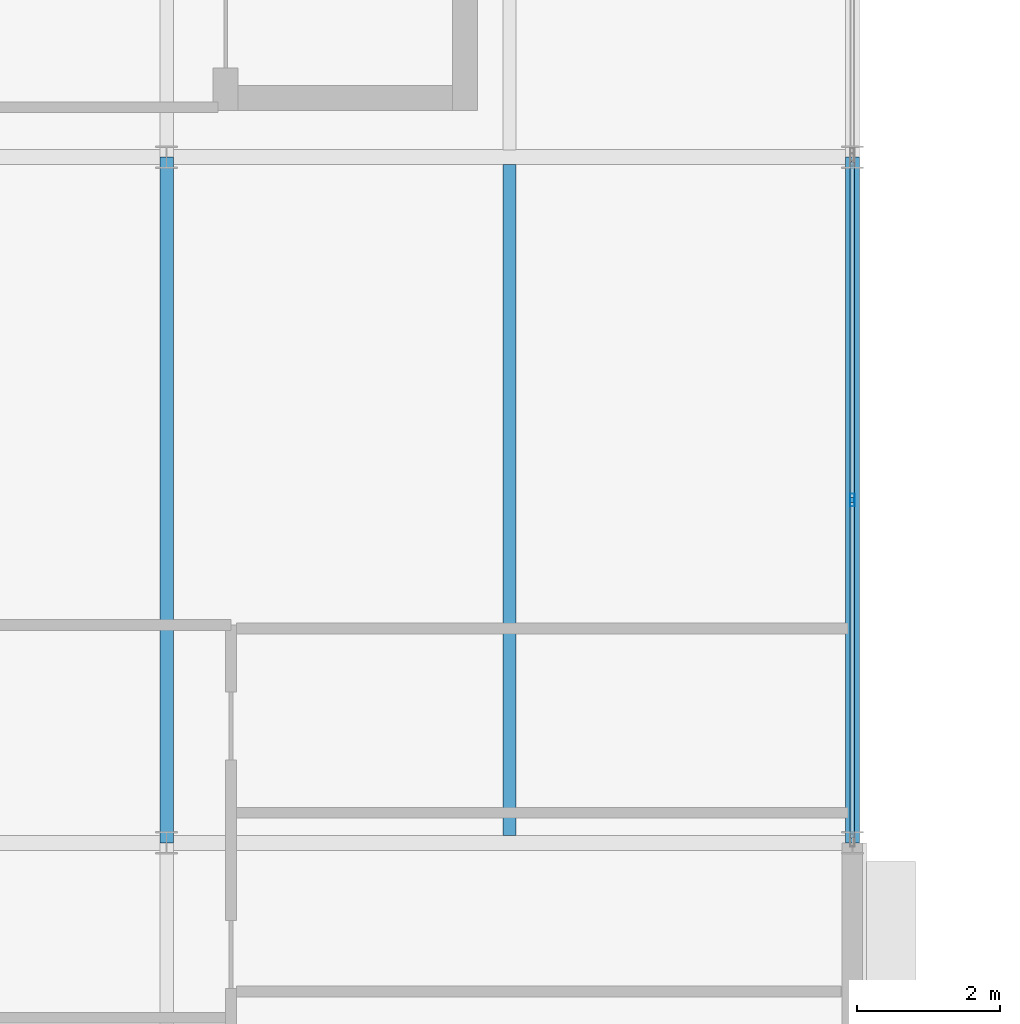
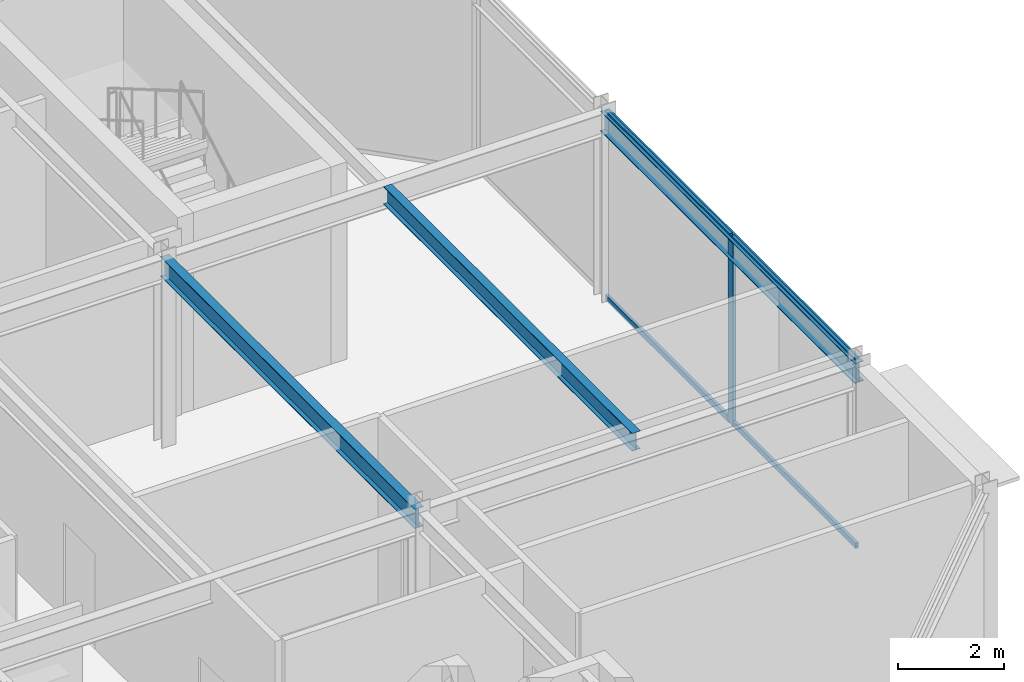
# One storey, part 11 of 50: 5 members, 3 beams, 1 element without a shape of its own.
"""IFC4 building model written with IfcOpenShell, lengths in metres."""

from ifc_helpers import new_model, si_unit, direction, frame, origin, origin_2d, place, context, subcontext, project, spatial, hollow_rectangle, i_section, extrude, material, material_profile, profile_set, type_object, element, aggregate, save


model = new_model("IFC4")

# Units and contexts
model_context = context("Model", 3, precision=1e-05, world=origin(), true_north=direction((0.0, 1.0)))
body_context = subcontext(model_context, "Body", "Model", "MODEL_VIEW")
ifc_project = project(units=[si_unit("LENGTHUNIT", "METRE"), si_unit("AREAUNIT", "SQUARE_METRE"), si_unit("VOLUMEUNIT", "CUBIC_METRE"), si_unit("PLANEANGLEUNIT", "RADIAN"), si_unit("MASSUNIT", "GRAM", prefix="KILO")], contexts=[model_context])

# Site, building, storey
site_placement = place(None, origin())
site = spatial("IfcSite", under=ifc_project, at=site_placement, CompositionType="ELEMENT")
building_placement = place(site_placement, origin())
building = spatial("IfcBuilding", under=site, at=building_placement, Name="Almandine Court Research Institute", CompositionType="ELEMENT")
storey_placement = place(building_placement, frame((0.0, 0.0, 23.449951171875)))
storey = spatial("IfcBuildingStorey", under=building, at=storey_placement, Name="L05", CompositionType="ELEMENT", Elevation=23.449951171875)

# Beams
ifc_material_1 = material(Name="Steel ASTM A992 Grade 50", Category="steel")
ifc_material_profile_1 = material_profile(ifc_material_1, i_section(OverallWidth=0.18994140625, OverallDepth=0.45703125, WebThickness=0.009033203125, FlangeThickness=0.014892578125, at=origin_2d()), Name="W460x74")
ifc_profile_set_1 = profile_set([ifc_material_profile_1], Name="Steel ASTM A992 Grade 50")
beam_type_1 = type_object("IfcBeamType", Name="Beam-B-01", PredefinedType="BEAM", material=ifc_profile_set_1)
beam_1_placement = place(storey_placement, frame((25.199951171875, 93.60009765625, 4.080078125), z_axis=(0.0, 1.0, 0.0), x_axis=(-1.0, 0.0, 0.0)))
element("IfcBeam", 1, at=beam_1_placement, inside=storey, type_object=beam_type_1, Name="L05 V3 Primary Y Girder", PredefinedType="BEAM", context=body_context, shape_type="SweptSolid", body=[
    extrude(i_section(OverallWidth=0.18994140625, OverallDepth=0.45703125, WebThickness=0.009033203125, FlangeThickness=0.014892578125, at=origin_2d()), origin(), (0.0, 0.0, 1.0), 9.599853515625),
])
ifc_material_profile_2 = material_profile(ifc_material_1, i_section(OverallWidth=0.178955078125, OverallDepth=0.409912109375, WebThickness=0.009033203125, FlangeThickness=0.013916015625, at=origin_2d()), Name="W410x67")
ifc_profile_set_2 = profile_set([ifc_material_profile_2], Name="Steel ASTM A992 Grade 50")
beam_type_2 = type_object("IfcBeamType", Name="Beam-B-02", PredefinedType="JOIST", material=ifc_profile_set_2)
beam_2_placement = place(storey_placement, frame((30.0, 93.702880859375, 4.10302734375), z_axis=(0.0, 1.0, 0.0), x_axis=(-1.0, 0.0, 0.0)))
element("IfcBeam", 2, at=beam_2_placement, inside=storey, type_object=beam_type_2, Name="L05 V3 Composite Secondary Beam", PredefinedType="JOIST", context=body_context, shape_type="SweptSolid", body=[
    extrude(i_section(OverallWidth=0.178955078125, OverallDepth=0.409912109375, WebThickness=0.009033203125, FlangeThickness=0.013916015625, at=origin_2d()), origin(), (0.0, 0.0, 1.0), 9.39404296875),
])
ifc_material_profile_3 = material_profile(ifc_material_1, i_section(OverallWidth=0.193115234375, OverallDepth=0.466064453125, WebThickness=0.010986328125, FlangeThickness=0.01904296875, at=origin_2d()), Name="W460x97")
ifc_profile_set_3 = profile_set([ifc_material_profile_3], Name="Steel ASTM A992 Grade 50")
beam_type_3 = type_object("IfcBeamType", Name="Beam-G-06-E", PredefinedType="SPANDREL", material=ifc_profile_set_3)
beam_3_placement = place(storey_placement, frame((34.800048828125, 93.60009765625, 4.074951171875), z_axis=(0.0, 1.0, 0.0), x_axis=(-1.0, 0.0, 0.0)))
element("IfcBeam", 3, at=beam_3_placement, inside=storey, type_object=beam_type_3, Name="L05 V3 Primary Y Girder", PredefinedType="SPANDREL", context=body_context, shape_type="SweptSolid", body=[
    extrude(i_section(OverallWidth=0.193115234375, OverallDepth=0.466064453125, WebThickness=0.010986328125, FlangeThickness=0.01904296875, at=origin_2d()), origin(), (0.0, 0.0, 1.0), 9.599853515625),
])

# Curtain wall, members
ifc_material_2 = material(Name="Unitised Curtain Wall Framing and Solar Glazing", Category="glass")
curtain_wall_type = type_object("IfcCurtainWallType", Name="CW-CWJ-11", PredefinedType="USERDEFINED", material=ifc_material_2)
curtain_wall_placement = place(storey_placement, origin())
curtain_wall = element("IfcCurtainWall", 4, at=curtain_wall_placement, inside=storey, type_object=curtain_wall_type, Name="L05 Cleanroom East Courtyard Jali Screen 2", ObjectType="SOLAR JALI SCREEN", PredefinedType="USERDEFINED")
ifc_material_3 = material(Name="Anodised Aluminium AW-6063-T6", Category="aluminium")
ifc_material_profile_4 = material_profile(ifc_material_3, hollow_rectangle(XDim=0.06494140625, YDim=0.179931640625, WallThickness=0.00390625, at=origin_2d()), Name="ALU RHS 65x180x4")
ifc_profile_set_4 = profile_set([ifc_material_profile_4], Name="Anodised Aluminium AW-6063-T6")
member_type_1 = type_object("IfcMemberType", Name="CWMul-65x180", PredefinedType="MULLION", material=ifc_profile_set_4)
member_1_placement = place(storey_placement, frame((34.800048828125, 98.39990234375, 0.0), z_axis=(0.0, 0.0, 1.0), x_axis=(1.0, 0.0, 0.0)))
member_1 = element("IfcMember", 5, at=member_1_placement, type_object=member_type_1, Name="CWJ-11 mullion 2", PredefinedType="MULLION", context=body_context, shape_type="SweptSolid", body=[
    extrude(hollow_rectangle(XDim=0.06494140625, YDim=0.179931640625, WallThickness=0.00390625, at=origin_2d()), origin(), (0.0, 0.0, 1.0), 4.31005859375),
])
ifc_material_profile_5 = material_profile(ifc_material_3, hollow_rectangle(XDim=0.06494140625, YDim=0.1298828125, WallThickness=0.00390625, at=origin_2d()), Name="ALU RHS 65x130x4")
ifc_profile_set_5 = profile_set([ifc_material_profile_5], Name="Anodised Aluminium AW-6063-T6")
member_type_2 = type_object("IfcMemberType", Name="CWTrn-65x130", PredefinedType="NOTDEFINED", material=ifc_profile_set_5)
member_2_placement = place(storey_placement, frame((34.800048828125, 103.131103515625, 0.032470703125), z_axis=(0.0, -1.0, 0.0), x_axis=(1.0, 0.0, 0.0)))
member_2 = element("IfcMember", 6, at=member_2_placement, type_object=member_type_2, Name="CWJ-11 transom 1.1", ObjectType="TRANSOM", PredefinedType="USERDEFINED", context=body_context, shape_type="SweptSolid", body=[
    extrude(hollow_rectangle(XDim=0.06494140625, YDim=0.1298828125, WallThickness=0.00390625, at=origin_2d()), origin(), (0.0, 0.0, 1.0), 4.698486328125),
])
member_3_placement = place(storey_placement, frame((34.800048828125, 103.131103515625, 4.277587890625), z_axis=(0.0, -1.0, 0.0), x_axis=(1.0, 0.0, 0.0)))
member_3 = element("IfcMember", 7, at=member_3_placement, type_object=member_type_2, Name="CWJ-11 transom 1.2", ObjectType="TRANSOM", PredefinedType="USERDEFINED", context=body_context, shape_type="SweptSolid", body=[
    extrude(hollow_rectangle(XDim=0.06494140625, YDim=0.1298828125, WallThickness=0.00390625, at=origin_2d()), origin(), (0.0, 0.0, 1.0), 4.698486328125),
])
member_4_placement = place(storey_placement, frame((34.800048828125, 98.367431640625, 0.032470703125), z_axis=(0.0, -1.0, 0.0), x_axis=(1.0, 0.0, 0.0)))
member_4 = element("IfcMember", 8, at=member_4_placement, type_object=member_type_2, Name="CWJ-11 transom 2.1", ObjectType="TRANSOM", PredefinedType="USERDEFINED", context=body_context, shape_type="SweptSolid", body=[
    extrude(hollow_rectangle(XDim=0.06494140625, YDim=0.1298828125, WallThickness=0.00390625, at=origin_2d()), origin(), (0.0, 0.0, 1.0), 4.698486328125),
])
member_5_placement = place(storey_placement, frame((34.800048828125, 98.367431640625, 4.277587890625), z_axis=(0.0, -1.0, 0.0), x_axis=(1.0, 0.0, 0.0)))
member_5 = element("IfcMember", 9, at=member_5_placement, type_object=member_type_2, Name="CWJ-11 transom 2.2", ObjectType="TRANSOM", PredefinedType="USERDEFINED", context=body_context, shape_type="SweptSolid", body=[
    extrude(hollow_rectangle(XDim=0.06494140625, YDim=0.1298828125, WallThickness=0.00390625, at=origin_2d()), origin(), (0.0, 0.0, 1.0), 4.698486328125),
])
aggregate(curtain_wall, [member_1, member_2, member_3, member_4, member_5])

save(model, "model.ifc")
